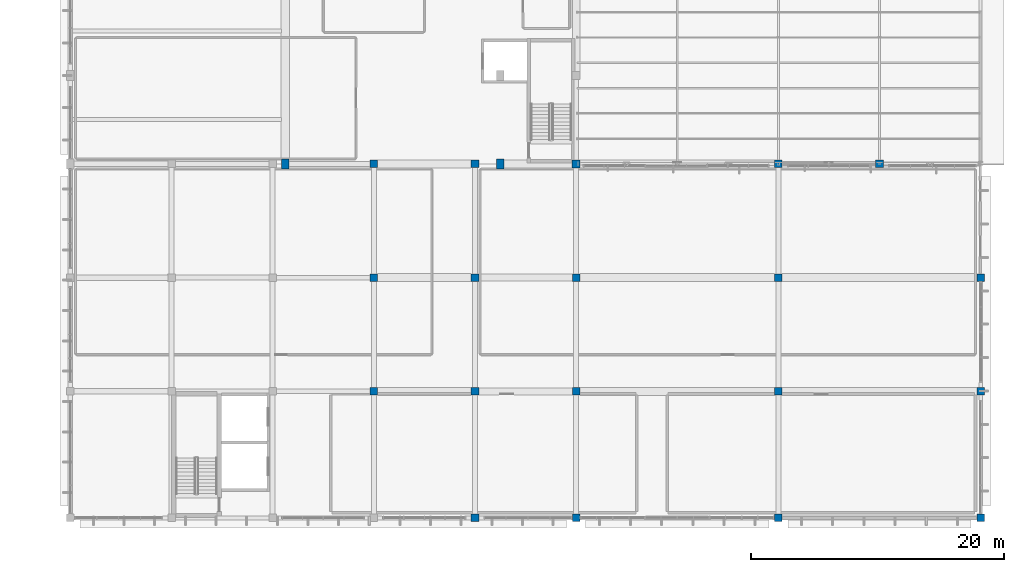
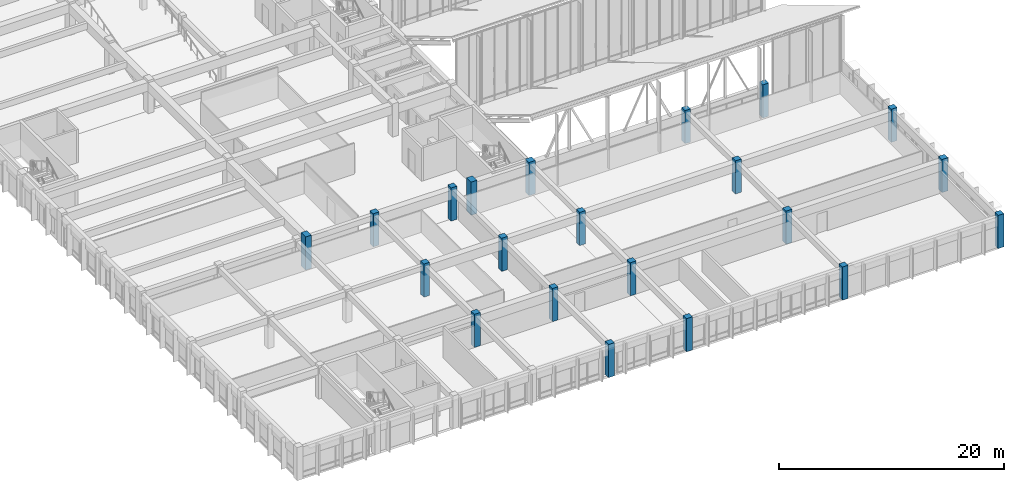
# One storey, part 2 of 155: 21 columns.
"""IFC4 building model written with IfcOpenShell, lengths in metres."""

from ifc_helpers import new_model, si_unit, direction, frame, origin, origin_2d, place, context, subcontext, project, spatial, rectangle, extrude, material, material_profile, profile_set, type_object, element, save


model = new_model("IFC4")

# Units and contexts
model_context = context("Model", 3, precision=1e-05, world=origin(), true_north=direction((0.0, 1.0)))
body_context = subcontext(model_context, "Body", "Model", "MODEL_VIEW")
ifc_project = project(units=[si_unit("LENGTHUNIT", "METRE"), si_unit("AREAUNIT", "SQUARE_METRE"), si_unit("VOLUMEUNIT", "CUBIC_METRE"), si_unit("PLANEANGLEUNIT", "RADIAN"), si_unit("MASSUNIT", "GRAM", prefix="KILO")], contexts=[model_context])

# Site, building, storey
site_placement = place(None, origin())
site = spatial("IfcSite", under=ifc_project, at=site_placement, CompositionType="ELEMENT")
building_placement = place(site_placement, origin())
building = spatial("IfcBuilding", under=site, at=building_placement, Name="Larkveld Mobility Hub", CompositionType="ELEMENT")
storey_placement = place(building_placement, frame((0.0, 0.0, 8.39990234375)))
storey = spatial("IfcBuildingStorey", under=building, at=storey_placement, Name="L02", CompositionType="ELEMENT", Elevation=8.39990234375)

# Columns
ifc_material_1 = material(Name="Precast concrete C50/60", Category="concrete")
ifc_material_profile_1 = material_profile(ifc_material_1, rectangle(XDim=0.60009765625, YDim=0.800048828125, at=origin_2d()), Name="RC COL 600x800")
ifc_profile_set_1 = profile_set([ifc_material_profile_1], Name="Precast concrete C50/60")
column_type_1 = type_object("IfcColumnType", Name="CL-PC6080", PredefinedType="COLUMN", material=ifc_profile_set_1)
for number, where, z_axis, x_axis, name in (
    (1, (129.0, 28.0, 0.0), (0.0, 0.0, 1.0), (1.0, 0.0, 0.0), "Column EV-X129-Y28 (L02)"),
    (2, (146.0, 28.0, 0.0), (0.0, 0.0, 1.0), (1.0, 0.0, 0.0), "Column EV-X146-Y28 (L02)"),
):
    element("IfcColumn", number, at=place(storey_placement, frame(where, z_axis=z_axis, x_axis=x_axis)), inside=storey, type_object=column_type_1, Name=name, PredefinedType="COLUMN", context=body_context, shape_type="SweptSolid", body=[
        extrude(rectangle(XDim=0.60009765625, YDim=0.800048828125, at=origin_2d()), origin(), (0.0, 0.0, 1.0), 3.60009765625),
    ])
ifc_material_2 = material(Name="Concrete C40/50", Category="concrete")
ifc_material_profile_2 = material_profile(ifc_material_2, rectangle(XDim=0.60009765625, YDim=0.60009765625, at=origin_2d()), Name="RC COL 600x600")
ifc_profile_set_2 = profile_set([ifc_material_profile_2], Name="Concrete C40/50")
column_type_2 = type_object("IfcColumnType", Name="CL-RC600", PredefinedType="COLUMN", material=ifc_profile_set_2)
for number, where, z_axis, x_axis, name in (
    (3, (136.0, 10.0, 0.0), (0.0, 0.0, 1.0), (1.0, 0.0, 0.0), "Column V6-X136-Y10 (L02)"),
    (4, (136.0, 19.0, 0.0), (0.0, 0.0, 1.0), (1.0, 0.0, 0.0), "Column V6-X136-Y19 (L02)"),
    (5, (136.0, 28.0, 0.0), (0.0, 0.0, 1.0), (1.0, 0.0, 0.0), "Column V6-X136-Y28 (L02)"),
    (6, (144.0, 0.0, 0.0), (0.0, 0.0, 1.0), (1.0, 0.0, 0.0), "Column V6-X144-Y0 (L02)"),
    (7, (144.0, 10.0, 0.0), (0.0, 0.0, 1.0), (1.0, 0.0, 0.0), "Column V6-X144-Y10 (L02)"),
    (8, (144.0, 19.0, 0.0), (0.0, 0.0, 1.0), (1.0, 0.0, 0.0), "Column V6-X144-Y19 (L02)"),
    (9, (144.0, 28.0, 0.0), (0.0, 0.0, 1.0), (1.0, 0.0, 0.0), "Column V6-X144-Y28 (L02)"),
    (10, (152.0, 0.0, 0.0), (0.0, 0.0, 1.0), (1.0, 0.0, 0.0), "Column V6-X152-Y0 (L02)"),
    (11, (152.0, 10.0, 0.0), (0.0, 0.0, 1.0), (1.0, 0.0, 0.0), "Column V6-X152-Y10 (L02)"),
    (12, (152.0, 19.0, 0.0), (0.0, 0.0, 1.0), (1.0, 0.0, 0.0), "Column V6-X152-Y19 (L02)"),
    (13, (168.0, 0.0, 0.0), (0.0, 0.0, 1.0), (1.0, 0.0, 0.0), "Column V6-X168-Y0 (L02)"),
    (14, (168.0, 10.0, 0.0), (0.0, 0.0, 1.0), (1.0, 0.0, 0.0), "Column V6-X168-Y10 (L02)"),
    (15, (168.0, 19.0, 0.0), (0.0, 0.0, 1.0), (1.0, 0.0, 0.0), "Column V6-X168-Y19 (L02)"),
    (16, (168.0, 28.0, 0.0), (0.0, 0.0, 1.0), (1.0, 0.0, 0.0), "Column V6-X168-Y28 (L02)"),
    (17, (176.0, 28.0, 0.0), (0.0, 0.0, 1.0), (1.0, 0.0, 0.0), "Column V6-X176-Y28 (L02)"),
    (18, (184.0, 0.0, 0.0), (0.0, 0.0, 1.0), (1.0, 0.0, 0.0), "Column V6-X184-Y0 (L02)"),
    (19, (184.0, 10.0, 0.0), (0.0, 0.0, 1.0), (1.0, 0.0, 0.0), "Column V6-X184-Y10 (L02)"),
    (20, (184.0, 19.0, 0.0), (0.0, 0.0, 1.0), (1.0, 0.0, 0.0), "Column V6-X184-Y19 (L02)"),
):
    element("IfcColumn", number, at=place(storey_placement, frame(where, z_axis=z_axis, x_axis=x_axis)), inside=storey, type_object=column_type_2, Name=name, PredefinedType="COLUMN", context=body_context, shape_type="SweptSolid", body=[
        extrude(rectangle(XDim=0.60009765625, YDim=0.60009765625, at=origin_2d()), origin(), (0.0, 0.0, 1.0), 3.60009765625),
    ])
ifc_material_profile_3 = material_profile(ifc_material_2, rectangle(XDim=0.64990234375, YDim=0.64990234375, at=origin_2d()), Name="RC COL 650x650")
ifc_profile_set_3 = profile_set([ifc_material_profile_3], Name="Concrete C40/50")
column_type_3 = type_object("IfcColumnType", Name="CL-RC650", PredefinedType="COLUMN", material=ifc_profile_set_3)
column_placement = place(storey_placement, frame((152.0, 28.0, 0.0), z_axis=(0.0, 0.0, 1.0), x_axis=(1.0, 0.0, 0.0)))
element("IfcColumn", 21, at=column_placement, inside=storey, type_object=column_type_3, Name="Column EV-X152-Y28 (L02)", PredefinedType="COLUMN", context=body_context, shape_type="SweptSolid", body=[
    extrude(rectangle(XDim=0.64990234375, YDim=0.64990234375, at=origin_2d()), origin(), (0.0, 0.0, 1.0), 3.60009765625),
])

save(model, "model.ifc")
